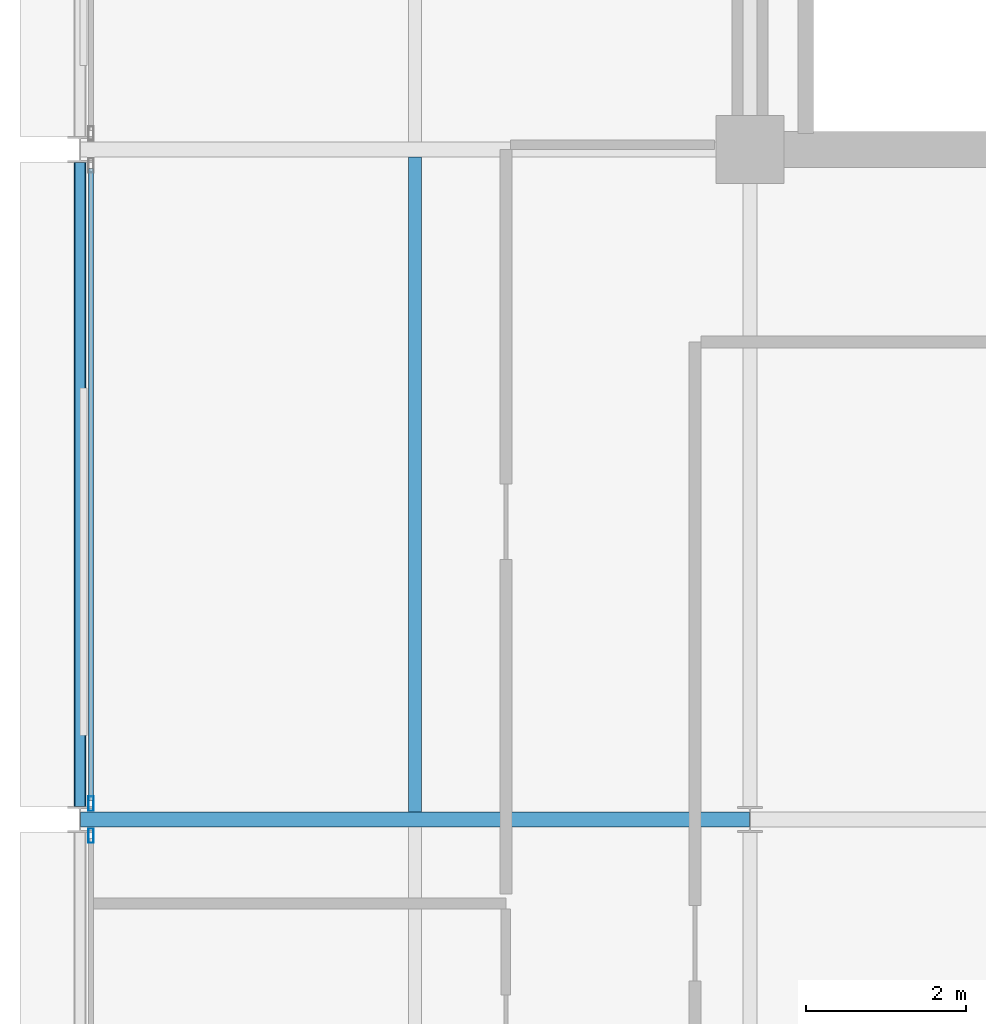
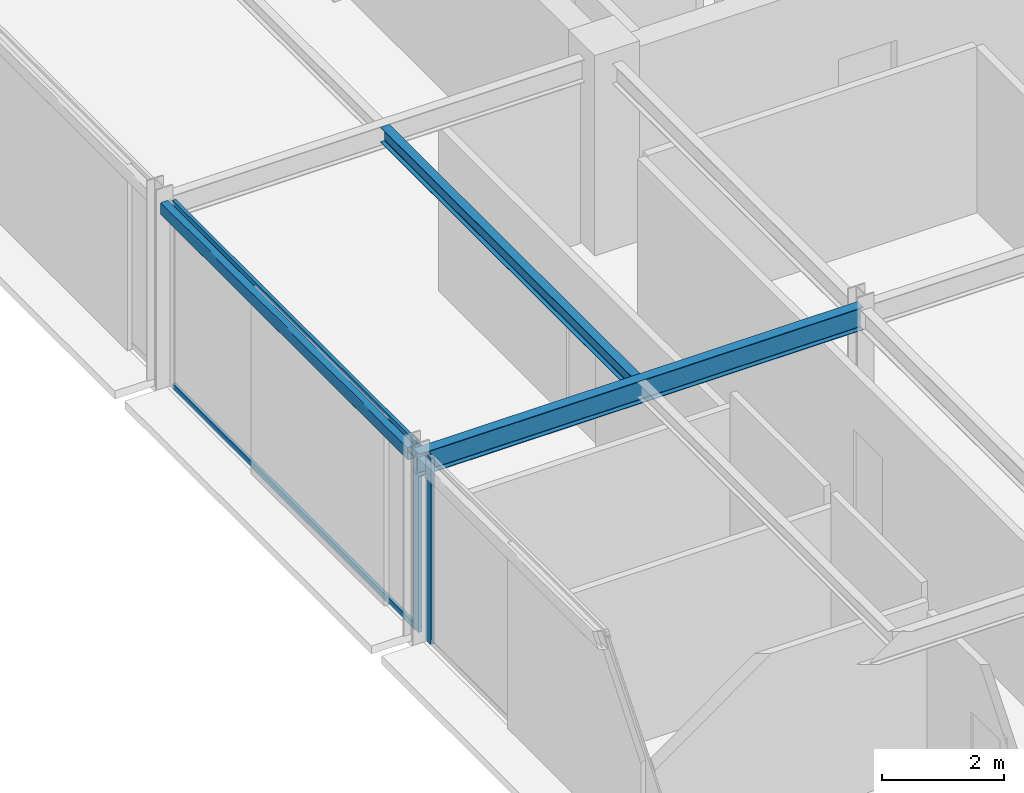
# One storey, part 9 of 27: 4 members, 3 beams, 2 elements without a shape of their own.
"""IFC4 building model written with IfcOpenShell, lengths in metres."""

from ifc_helpers import new_model, si_unit, direction, frame, origin, origin_2d, place, context, subcontext, project, spatial, hollow_rectangle, i_section, extrude, material, layer, layer_set, material_profile, profile_set, type_object, element, aggregate, save


model = new_model("IFC4")

# Units and contexts
model_context = context("Model", 3, precision=1e-05, world=origin(), true_north=direction((0.0, 1.0)))
body_context = subcontext(model_context, "Body", "Model", "MODEL_VIEW")
ifc_project = project(units=[si_unit("LENGTHUNIT", "METRE"), si_unit("AREAUNIT", "SQUARE_METRE"), si_unit("VOLUMEUNIT", "CUBIC_METRE"), si_unit("PLANEANGLEUNIT", "RADIAN"), si_unit("MASSUNIT", "GRAM", prefix="KILO")], contexts=[model_context])

# Site, building, storey
site_placement = place(None, origin())
site = spatial("IfcSite", under=ifc_project, at=site_placement, CompositionType="ELEMENT")
building_placement = place(site_placement, origin())
building = spatial("IfcBuilding", under=site, at=building_placement, Name="Nerrivon Quay Data Exchange", CompositionType="ELEMENT")
storey_placement = place(building_placement, frame((0.0, 0.0, 278.199951171875)))
storey = spatial("IfcBuildingStorey", under=building, at=storey_placement, Name="L66", CompositionType="ELEMENT", Elevation=278.199951171875)

# Beams
ifc_material_1 = material(Name="Steel Grade 350", Category="steel")
ifc_material_profile_1 = material_profile(ifc_material_1, i_section(OverallWidth=0.18994140625, OverallDepth=0.4541015625, WebThickness=0.008544921875, FlangeThickness=0.0126953125, FilletRadius=0.011474609375, at=origin_2d()), Name="460UB67.1")
ifc_profile_set_1 = profile_set([ifc_material_profile_1], Name="Steel Grade 350")
beam_type_1 = type_object("IfcBeamType", Name="BM-G6-460UB67", PredefinedType="BEAM", material=ifc_profile_set_1)
beam_1_placement = place(storey_placement, frame((0.0078125, 16.800048828125, 3.498046875), z_axis=(1.0, 0.0, 0.0), x_axis=(0.0, 1.0, 0.0)))
element("IfcBeam", 1, at=beam_1_placement, inside=storey, type_object=beam_type_1, Name="L66 EW Girder Y=16.8 (0.0..8.4)", PredefinedType="BEAM", context=body_context, shape_type="SweptSolid", body=[
    extrude(i_section(OverallWidth=0.18994140625, OverallDepth=0.4541015625, WebThickness=0.008544921875, FlangeThickness=0.0126953125, FilletRadius=0.011474609375, at=origin_2d()), origin(), (0.0, 0.0, 1.0), 8.38427734375),
])
ifc_material_profile_2 = material_profile(ifc_material_1, i_section(OverallWidth=0.1650390625, OverallDepth=0.303955078125, WebThickness=0.006103515625, FlangeThickness=0.01025390625, FilletRadius=0.011474609375, at=origin_2d()), Name="310UB40.4")
ifc_profile_set_2 = profile_set([ifc_material_profile_2], Name="Steel Grade 350")
beam_type_2 = type_object("IfcBeamType", Name="BM-J6-310UB40", PredefinedType="JOIST", material=ifc_profile_set_2)
beam_2_placement = place(storey_placement, frame((4.199951171875, 16.89501953125, 3.572998046875), z_axis=(0.0, 1.0, 0.0), x_axis=(-1.0, 0.0, 0.0)))
element("IfcBeam", 2, at=beam_2_placement, inside=storey, type_object=beam_type_2, Name="L66 Secondary Joist X=4.2 (16.8..25.2)", PredefinedType="JOIST", context=body_context, shape_type="SweptSolid", body=[
    extrude(i_section(OverallWidth=0.1650390625, OverallDepth=0.303955078125, WebThickness=0.006103515625, FlangeThickness=0.01025390625, FilletRadius=0.011474609375, at=origin_2d()), origin(), (0.0, 0.0, 1.0), 8.2099609375),
])
ifc_material_2 = material(Name="Steel Grade C350L0 (350 MPa)", Category="steel")
ifc_material_profile_3 = material_profile(ifc_material_2, hollow_rectangle(XDim=0.14990234375, YDim=0.25, WallThickness=0.009033203125, InnerFilletRadius=0.013427734375, OuterFilletRadius=0.0224609375, at=origin_2d()), Name="250x150x9.0RHS")
ifc_profile_set_3 = profile_set([ifc_material_profile_3], Name="Steel Grade C350L0 (350 MPa)")
beam_type_3 = type_object("IfcBeamType", Name="BM-SP4-250x150RHS", PredefinedType="SPANDREL", material=ifc_profile_set_3)
beam_3_placement = place(storey_placement, frame((0.0, 16.96337890625, 3.60009765625), z_axis=(0.0, 1.0, 0.0), x_axis=(-1.0, 0.0, 0.0)))
element("IfcBeam", 3, at=beam_3_placement, inside=storey, type_object=beam_type_3, Name="L66 NS Girder X=0.0 (16.8..25.2)", PredefinedType="SPANDREL", context=body_context, shape_type="SweptSolid", body=[
    extrude(hollow_rectangle(XDim=0.14990234375, YDim=0.25, WallThickness=0.009033203125, InnerFilletRadius=0.013427734375, OuterFilletRadius=0.0224609375, at=origin_2d()), origin(), (0.0, 0.0, 1.0), 8.0732421875),
])

# Curtain wall, member
ifc_material_3 = material(Name="Anodised aluminium 6063-T6", Category="aluminium")
ifc_layer = layer(ifc_material_3, 0.195068359375)
ifc_layer_set = layer_set([ifc_layer], Name="Anodised aluminium 6063-T6")
curtain_wall_type = type_object("IfcCurtainWallType", Name="CW-SYS-06", PredefinedType="NOTDEFINED", material=ifc_layer_set)
curtain_wall_1_placement = place(storey_placement, origin())
curtain_wall_1 = element("IfcCurtainWall", 4, at=curtain_wall_1_placement, inside=storey, type_object=curtain_wall_type, Name="L66 Unitised Curtain Wall 12", PredefinedType="NOTDEFINED")
ifc_material_profile_4 = material_profile(ifc_material_3, hollow_rectangle(XDim=0.06494140625, YDim=0.179931640625, WallThickness=0.00341796875, at=origin_2d()), Name="ALU-MULL-180x65")
ifc_profile_set_4 = profile_set([ifc_material_profile_4], Name="Anodised aluminium 6063-T6")
member_type_1 = type_object("IfcMemberType", Name="CWM-180x65", PredefinedType="MULLION", material=ifc_profile_set_4)
member_1_placement = place(storey_placement, frame((0.139892578125, 16.59912109375, 0.0), z_axis=(0.0, 0.0, 1.0), x_axis=(-1.0, 0.0, 0.0)))
member_1 = element("IfcMember", 5, at=member_1_placement, type_object=member_type_1, Name="CW06 mullion 2", PredefinedType="MULLION", context=body_context, shape_type="SweptSolid", body=[
    extrude(hollow_rectangle(XDim=0.06494140625, YDim=0.179931640625, WallThickness=0.00341796875, at=origin_2d()), origin(), (0.0, 0.0, 1.0), 3.72509765625),
])
aggregate(curtain_wall_1, [member_1])

# Curtain wall, members
curtain_wall_2_placement = place(storey_placement, origin())
curtain_wall_2 = element("IfcCurtainWall", 6, at=curtain_wall_2_placement, inside=storey, type_object=curtain_wall_type, Name="L66 Unitised Curtain Wall 13", PredefinedType="NOTDEFINED")
member_2_placement = place(storey_placement, frame((0.139892578125, 17.0009765625, 0.0), z_axis=(0.0, 0.0, 1.0), x_axis=(-1.0, 0.0, 0.0)))
member_2 = element("IfcMember", 7, at=member_2_placement, type_object=member_type_1, Name="CW06 mullion 1", PredefinedType="MULLION", context=body_context, shape_type="SweptSolid", body=[
    extrude(hollow_rectangle(XDim=0.06494140625, YDim=0.179931640625, WallThickness=0.00341796875, at=origin_2d()), origin(), (0.0, 0.0, 1.0), 3.72509765625),
])
ifc_material_profile_5 = material_profile(ifc_material_3, hollow_rectangle(XDim=0.06005859375, YDim=0.1201171875, WallThickness=0.003173828125, at=origin_2d()), Name="ALU-TRAN-120x60")
ifc_profile_set_5 = profile_set([ifc_material_profile_5], Name="Anodised aluminium 6063-T6")
member_type_2 = type_object("IfcMemberType", Name="CWT-120x60", PredefinedType="USERDEFINED", material=ifc_profile_set_5)
member_3_placement = place(storey_placement, frame((0.139892578125, 17.03857421875, 0.032470703125), z_axis=(0.0, 1.0, 0.0), x_axis=(-1.0, 0.0, 0.0)))
member_3 = element("IfcMember", 8, at=member_3_placement, type_object=member_type_2, Name="CW06 transom 1.1", ObjectType="TRANSOM", PredefinedType="USERDEFINED", context=body_context, shape_type="SweptSolid", body=[
    extrude(hollow_rectangle(XDim=0.06005859375, YDim=0.1201171875, WallThickness=0.003173828125, at=origin_2d()), origin(), (0.0, 0.0, 1.0), 7.9228515625),
])
member_4_placement = place(storey_placement, frame((0.139892578125, 17.03857421875, 3.692626953125), z_axis=(0.0, 1.0, 0.0), x_axis=(-1.0, 0.0, 0.0)))
member_4 = element("IfcMember", 9, at=member_4_placement, type_object=member_type_2, Name="CW06 transom 1.2", ObjectType="TRANSOM", PredefinedType="USERDEFINED", context=body_context, shape_type="SweptSolid", body=[
    extrude(hollow_rectangle(XDim=0.06005859375, YDim=0.1201171875, WallThickness=0.003173828125, at=origin_2d()), origin(), (0.0, 0.0, 1.0), 7.9228515625),
])
aggregate(curtain_wall_2, [member_2, member_3, member_4])

save(model, "model.ifc")
